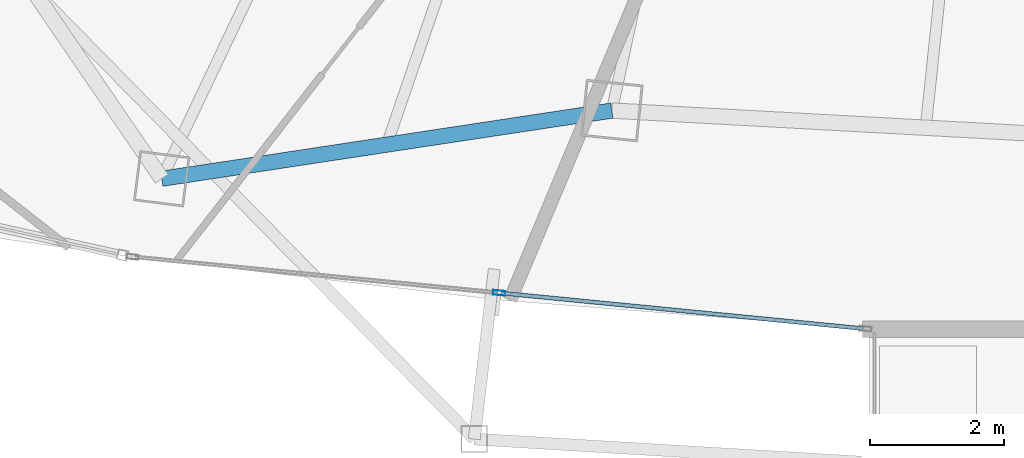
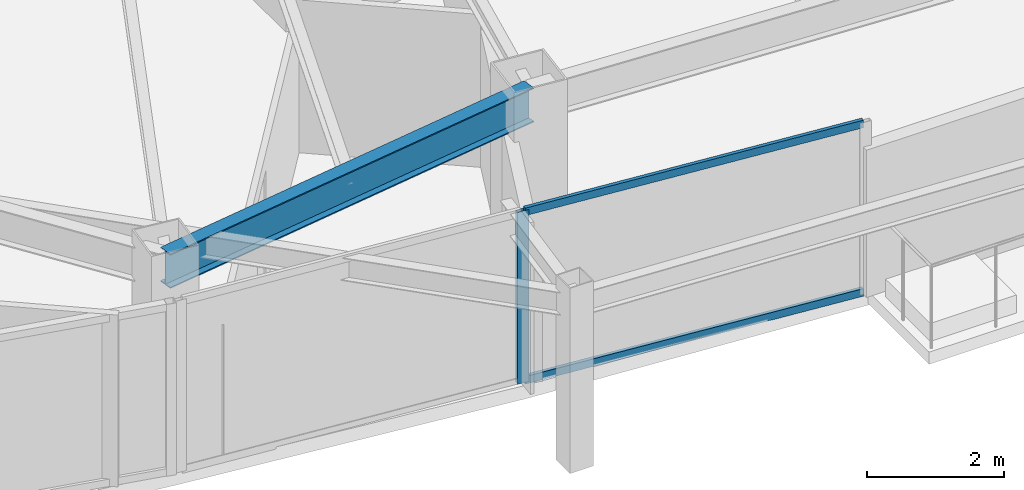
# One storey, part 4 of 30: 3 members, 1 beam, 1 element without a shape of its own.
"""IFC4 building model written with IfcOpenShell, lengths in metres."""

from ifc_helpers import new_model, si_unit, direction, frame, origin, origin_2d, place, context, subcontext, project, spatial, hollow_rectangle, i_section, extrude, material, layer, layer_set, material_profile, profile_set, type_object, element, aggregate, save


model = new_model("IFC4")

# Units and contexts
model_context = context("Model", 3, precision=1e-05, world=origin(), true_north=direction((0.0, 1.0)))
body_context = subcontext(model_context, "Body", "Model", "MODEL_VIEW")
ifc_project = project(units=[si_unit("LENGTHUNIT", "METRE"), si_unit("AREAUNIT", "SQUARE_METRE"), si_unit("VOLUMEUNIT", "CUBIC_METRE"), si_unit("PLANEANGLEUNIT", "RADIAN"), si_unit("MASSUNIT", "GRAM", prefix="KILO")], contexts=[model_context])

# Site, building, storey
site_placement = place(None, origin())
site = spatial("IfcSite", under=ifc_project, at=site_placement, CompositionType="ELEMENT")
building_placement = place(site_placement, origin())
building = spatial("IfcBuilding", under=site, at=building_placement, Name="Orvanel Arch Residences", CompositionType="ELEMENT")
storey_placement = place(building_placement, frame((0.0, 0.0, 180.35009765625)))
storey = spatial("IfcBuildingStorey", under=building, at=storey_placement, Name="L51", CompositionType="ELEMENT", Elevation=180.35009765625)

# Curtain wall, member
ifc_material_1 = material(Name="Bronze-anodised aluminium AA6063-T6", Category="aluminium")
ifc_layer = layer(ifc_material_1, 0.179931640625)
ifc_layer_set = layer_set([ifc_layer], Name="Bronze-anodised aluminium AA6063-T6")
curtain_wall_type = type_object("IfcCurtainWallType", Name="CW3-MID-SYS", PredefinedType="NOTDEFINED", material=ifc_layer_set)
curtain_wall_placement = place(storey_placement, origin())
curtain_wall = element("IfcCurtainWall", 1, at=curtain_wall_placement, inside=storey, type_object=curtain_wall_type, Name="L51 CW3-MID-SYS Unitised Curtain Wall", PredefinedType="NOTDEFINED")
ifc_material_profile_1 = material_profile(ifc_material_1, hollow_rectangle(XDim=0.070068359375, YDim=0.179931640625, WallThickness=0.00439453125, at=origin_2d()), Name="ALU180x70x4.5")
ifc_profile_set_1 = profile_set([ifc_material_profile_1], Name="Bronze-anodised aluminium AA6063-T6")
member_type_1 = type_object("IfcMemberType", Name="MUL-180x70", PredefinedType="MULLION", material=ifc_profile_set_1)
member_1_placement = place(storey_placement, frame((21.968505859375, 4.638427734375, 0.0), z_axis=(0.0, 0.0, 1.0), x_axis=(0.097701556124, 0.995215758482, 0.0)))
member_1 = element("IfcMember", 2, at=member_1_placement, type_object=member_type_1, Name="CW-S3 mullion 2", PredefinedType="MULLION", context=body_context, shape_type="SweptSolid", body=[
    extrude(hollow_rectangle(XDim=0.070068359375, YDim=0.179931640625, WallThickness=0.00439453125, at=origin_2d()), origin(), (0.0, 0.0, 1.0), 3.059814453125),
])

# Beam
ifc_material_2 = material(Name="Structural steel AS/NZS 3679.1 Grade 300 (300 MPa)", Category="steel")
ifc_material_profile_2 = material_profile(ifc_material_2, i_section(OverallWidth=0.22900390625, OverallDepth=0.612060546875, WebThickness=0.011962890625, FlangeThickness=0.01953125, at=origin_2d()), Name="610UB125")
ifc_profile_set_2 = profile_set([ifc_material_profile_2], Name="Structural steel AS/NZS 3679.1 Grade 300 (300 MPa)")
beam_type = type_object("IfcBeamType", Name="SP-610UB", PredefinedType="SPANDREL", material=ifc_profile_set_2)
beam_placement = place(storey_placement, frame((16.94091796875, 6.339111328125, 2.75390625), z_axis=(0.988726323014, 0.149733958002, 0.0), x_axis=(-0.149733958002, 0.988726323014, 0.0)))
element("IfcBeam", 3, at=beam_placement, inside=storey, type_object=beam_type, Name="L51 Perimeter Spandrel Beam 04", PredefinedType="SPANDREL", context=body_context, shape_type="SweptSolid", body=[
    extrude(i_section(OverallWidth=0.22900390625, OverallDepth=0.612060546875, WebThickness=0.011962890625, FlangeThickness=0.01953125, at=origin_2d()), origin(), (0.0, 0.0, 1.0), 6.784423828125),
])

# Member
ifc_material_profile_3 = material_profile(ifc_material_1, hollow_rectangle(XDim=0.06005859375, YDim=0.135009765625, WallThickness=0.00390625, at=origin_2d()), Name="ALU135x60x4")
ifc_profile_set_3 = profile_set([ifc_material_profile_3], Name="Bronze-anodised aluminium AA6063-T6")
member_type_2 = type_object("IfcMemberType", Name="TRN-135x60", PredefinedType="USERDEFINED", material=ifc_profile_set_3)
member_2_placement = place(storey_placement, frame((22.00341796875, 4.635009765625, 0.02978515625), z_axis=(0.995218908747, -0.097669461313, 0.0), x_axis=(0.097669461313, 0.995218908747, 0.0)))
member_2 = element("IfcMember", 4, at=member_2_placement, type_object=member_type_2, Name="CW-S3 transom 2.1", ObjectType="TRANSOM", PredefinedType="USERDEFINED", context=body_context, shape_type="SweptSolid", body=[
    extrude(hollow_rectangle(XDim=0.06005859375, YDim=0.135009765625, WallThickness=0.00390625, at=origin_2d()), origin(), (0.0, 0.0, 1.0), 5.416748046875),
])

member_3_placement = place(storey_placement, frame((22.00341796875, 4.635009765625, 3.02978515625), z_axis=(0.995218908747, -0.097669461313, 0.0), x_axis=(0.097669461313, 0.995218908747, 0.0)))
member_3 = element("IfcMember", 5, at=member_3_placement, type_object=member_type_2, Name="CW-S3 transom 2.2", ObjectType="TRANSOM", PredefinedType="USERDEFINED", context=body_context, shape_type="SweptSolid", body=[
    extrude(hollow_rectangle(XDim=0.06005859375, YDim=0.135009765625, WallThickness=0.00390625, at=origin_2d()), origin(), (0.0, 0.0, 1.0), 5.416748046875),
])

aggregate(curtain_wall, [member_1, member_2, member_3])

save(model, "model.ifc")
